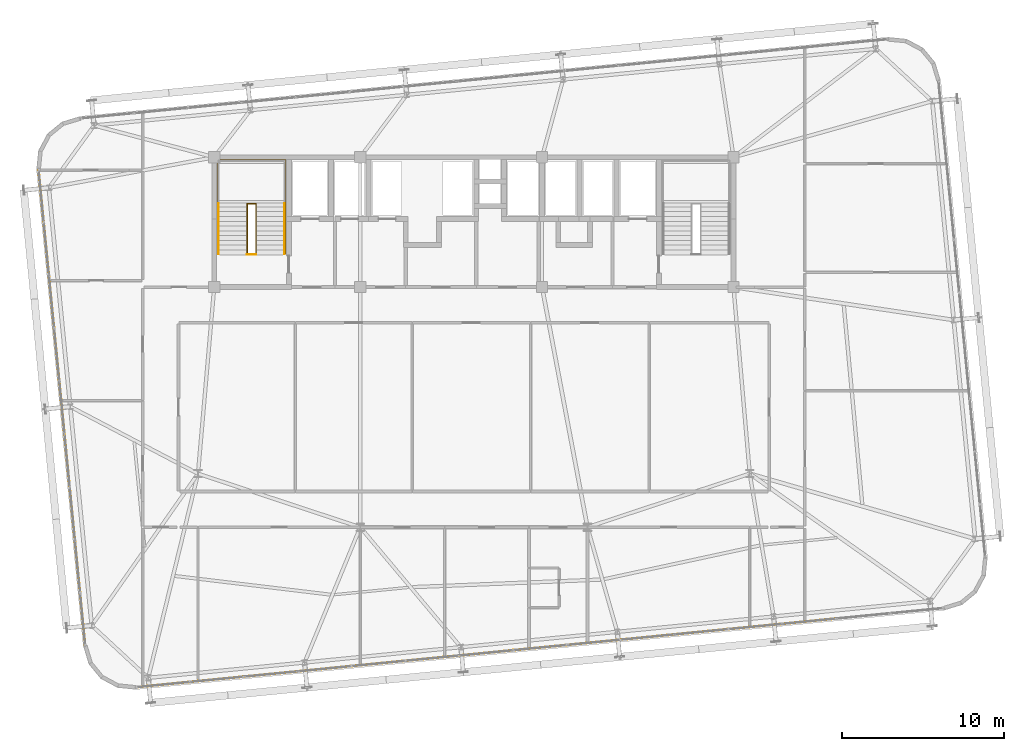
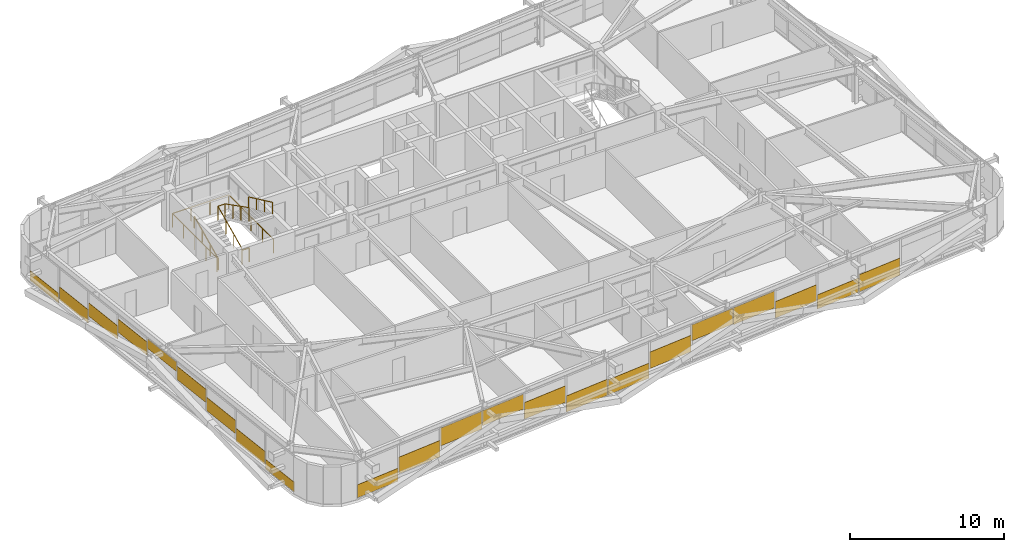
# One storey, part 50 of 52: 22 coverings, 5 railings.
"""IFC4 building model written with IfcOpenShell, lengths in metres."""

import ifcopenshell
import ifcopenshell.guid

model = None  # the IFC model being written
_history = None  # IfcOwnerHistory: only IFC2X3 demands one
_inside = {}  # id of a spatial element -> (the spatial element, [elements in it])
_under = {}  # id of a project, library or spatial element -> (it, [spatial elements below it])
_declared = {}  # id of a project -> (the project, [libraries it declares])
_typed = {}  # id of a type object -> (the type object, [elements of that type])
_made_of = {}  # id of a material, layer set ... -> (it, [elements and type objects made of it])


def new_model(schema):
    """Start an empty IFC model of exactly this schema.

    Asked for "IFC4X3", IfcOpenShell would pick the latest addendum, in which some entities
    have other attributes; the version numbers below select the first issue.
    IFC2X3 requires an IfcOwnerHistory on every rooted entity: one is made here for all.
    """
    global model, _history
    if schema == "IFC4X3":
        model = ifcopenshell.file(schema_version=(4, 3, 0, 0))
    else:
        model = ifcopenshell.file(schema=schema)
    _inside.clear()
    _under.clear()
    _declared.clear()
    _typed.clear()
    _made_of.clear()
    _history = None
    if model.schema == "IFC2X3":
        org = make("IfcOrganization", Name="unknown")
        user = make(
            "IfcPersonAndOrganization",
            ThePerson=make("IfcPerson", FamilyName="unknown"),
            TheOrganization=org,
        )
        app = make(
            "IfcApplication",
            ApplicationDeveloper=org,
            Version="unknown",
            ApplicationFullName="unknown",
            ApplicationIdentifier="unknown",
        )
        _history = make(
            "IfcOwnerHistory",
            OwningUser=user,
            OwningApplication=app,
            ChangeAction="ADDED",
            CreationDate=0,
        )
    return model


def make(cls, **values):
    """One entity of the class cls with the attributes given. An attribute that is None is left unset."""
    return model.create_entity(
        cls, **{name: value for name, value in values.items() if value is not None}
    )


def rooted(cls, **values):
    """An entity with a GlobalId (a new one), such as an element, a storey or a relation."""
    return make(cls, GlobalId=ifcopenshell.guid.new(), OwnerHistory=_history, **values)


def si_unit(unit_type, name, prefix=None):
    """IfcSIUnit, for example si_unit("LENGTHUNIT", "METRE", prefix="MILLI")."""
    return make("IfcSIUnit", UnitType=unit_type, Prefix=prefix, Name=name)


def assignment(units):
    """IfcUnitAssignment: the units of a project."""
    return None if units is None else make("IfcUnitAssignment", Units=units)


def point(xyz):
    """IfcCartesianPoint."""
    return None if xyz is None else make("IfcCartesianPoint", Coordinates=xyz)


def direction(xyz):
    """IfcDirection."""
    return None if xyz is None else make("IfcDirection", DirectionRatios=xyz)


def frame(location, z_axis=None, x_axis=None):
    """IfcAxis2Placement3D, a coordinate frame: its origin and axes. An axis left out is left unset."""
    return make(
        "IfcAxis2Placement3D",
        Location=point(location),
        Axis=direction(z_axis),
        RefDirection=direction(x_axis),
    )


def frame_2d(location, x_axis=None):
    """IfcAxis2Placement2D, a coordinate frame in the plane: its origin and x axis."""
    return make(
        "IfcAxis2Placement2D", Location=point(location), RefDirection=direction(x_axis)
    )


def origin():
    """The frame at (0, 0, 0) with its axes left unset."""
    return frame((0.0, 0.0, 0.0))


def origin_2d():
    """The frame at (0, 0) in the plane with its x axis left unset."""
    return frame_2d((0.0, 0.0))


def place(relative_to, where):
    """IfcLocalPlacement: puts the frame where relative to a parent placement (None: the world)."""
    return make(
        "IfcLocalPlacement", PlacementRelTo=relative_to, RelativePlacement=where
    )


def context(
    kind, dimensions, precision=None, world=None, true_north=None, identifier=None
):
    """IfcGeometricRepresentationContext, for example the 3D "Model" context."""
    return make(
        "IfcGeometricRepresentationContext",
        ContextIdentifier=identifier,
        ContextType=kind,
        CoordinateSpaceDimension=dimensions,
        Precision=precision,
        WorldCoordinateSystem=world,
        TrueNorth=true_north,
    )


def subcontext(parent, identifier, kind, view, scale=None):
    """IfcGeometricRepresentationSubContext, for example "Body" below "Model"."""
    return make(
        "IfcGeometricRepresentationSubContext",
        ContextIdentifier=identifier,
        ContextType=kind,
        ParentContext=parent,
        TargetScale=scale,
        TargetView=view,
    )


def project(units=None, contexts=None):
    """IfcProject with its units and contexts."""
    return rooted(
        "IfcProject",
        Name="project",
        RepresentationContexts=contexts,
        UnitsInContext=assignment(units),
    )


def spatial(cls, under=None, at=None, **own):
    """A site, building, storey or space (cls), placed at a placement, below another one or the project."""
    s = rooted(cls, ObjectPlacement=at, **own)
    if under is not None:
        _under.setdefault(under.id(), (under, []))[1].append(s)
    return s


def profile(cls, at=None, kind="AREA", **sizes):
    """A parametric profile (cls). Its sizes go by their IFC names, for example OverallWidth=200.0."""
    return make(cls, ProfileType=kind, Position=at, **sizes)


def rectangle(**sizes):
    """IfcRectangleProfileDef."""
    return profile("IfcRectangleProfileDef", **sizes)


def extrude(swept, where, along, depth):
    """IfcExtrudedAreaSolid: the profile swept, set in the frame where, extruded along a direction by depth."""
    return make(
        "IfcExtrudedAreaSolid",
        SweptArea=swept,
        Position=where,
        ExtrudedDirection=direction(along),
        Depth=depth,
    )


def shape(context_of_items, identifier, shape_type, items):
    """IfcShapeRepresentation: the items that make up one representation, for example the "Body"."""
    return make(
        "IfcShapeRepresentation",
        ContextOfItems=context_of_items,
        RepresentationIdentifier=identifier,
        RepresentationType=shape_type,
        Items=items,
    )


def source(mapping_origin, context_of_items, identifier, shape_type, items):
    """IfcRepresentationMap: a shape defined once, which mapped items show again and again."""
    return make(
        "IfcRepresentationMap",
        MappingOrigin=mapping_origin,
        MappedRepresentation=shape(context_of_items, identifier, shape_type, items),
    )


def transform(
    local_origin,
    x_axis=None,
    y_axis=None,
    z_axis=None,
    scale=None,
    scale2=None,
    scale3=None,
    uniform=True,
):
    """IfcCartesianTransformationOperator3D, or its non-uniform kind. x_axis, y_axis, z_axis: its Axis1, 2, 3."""
    if uniform:
        return make(
            "IfcCartesianTransformationOperator3D",
            Axis1=direction(x_axis),
            Axis2=direction(y_axis),
            LocalOrigin=point(local_origin),
            Scale=scale,
            Axis3=direction(z_axis),
        )
    return make(
        "IfcCartesianTransformationOperator3DnonUniform",
        Axis1=direction(x_axis),
        Axis2=direction(y_axis),
        LocalOrigin=point(local_origin),
        Scale=scale,
        Axis3=direction(z_axis),
        Scale2=scale2,
        Scale3=scale3,
    )


def mapped(mapping_source, mapping_target):
    """IfcMappedItem: shows the shape of a source again, moved by a transform."""
    return make(
        "IfcMappedItem", MappingSource=mapping_source, MappingTarget=mapping_target
    )


def material(Name=None, Category=None):
    """IfcMaterial."""
    return make("IfcMaterial", Name=Name, Category=Category)


def layer(
    of_material, thickness, ventilated=None, Name=None, Category=None, Priority=None
):
    """IfcMaterialLayer: one layer of a wall or slab, of a material (None: an air gap)."""
    return make(
        "IfcMaterialLayer",
        Material=of_material,
        LayerThickness=thickness,
        IsVentilated=ventilated,
        Name=Name,
        Category=Category,
        Priority=Priority,
    )


def layer_set(layers, Name=None):
    """IfcMaterialLayerSet."""
    return make("IfcMaterialLayerSet", MaterialLayers=layers, LayerSetName=Name)


def made_of(thing, what):
    """Note that an element or type object is made of a material, layer set ...; save() writes the relation."""
    if what is not None:
        _made_of.setdefault(what.id(), (what, []))[1].append(thing)
    return thing


def type_object(cls, material=None, **own):
    """A type object (cls), such as IfcWallType, which elements share."""
    return made_of(rooted(cls, **own), material)


def element(
    cls,
    number,
    at=None,
    inside=None,
    cuts=None,
    type_object=None,
    material=None,
    context=None,
    identifier="Body",
    shape_type=None,
    held_by="IfcProductDefinitionShape",
    body=None,
    shapes=None,
    **own,
):
    """One element of the class cls, such as IfcWall. Its Tag is "e" and its number.

    at: its placement. inside: the storey or other place that contains it. cuts: it is an
    opening in that element (IfcRelVoidsElement). A single representation is given by context,
    identifier, shape_type and body (its items); several are given by shapes. held_by: the class
    of the entity that holds the representations. save() writes the other relations.
    """
    e = rooted(cls, Tag="e%d" % number, ObjectPlacement=at, **own)
    if body is not None:
        shapes = [shape(context, identifier, shape_type, body)]
    if shapes is not None:
        e.Representation = make(held_by, Representations=shapes)
    if inside is not None:
        _inside.setdefault(inside.id(), (inside, []))[1].append(e)
    if cuts is not None:
        rooted(
            "IfcRelVoidsElement", RelatingBuildingElement=cuts, RelatedOpeningElement=e
        )
    if type_object is not None:
        _typed.setdefault(type_object.id(), (type_object, []))[1].append(e)
    return made_of(e, material)


def aggregate(whole, parts):
    """IfcRelAggregates: a whole, such as a stair, and the parts it consists of."""
    return rooted("IfcRelAggregates", RelatingObject=whole, RelatedObjects=parts)


def save(model, path):
    """Write the relations noted so far, then the file.

    IfcRelAggregates (storeys below a building ...), IfcRelContainedInSpatialStructure (elements
    in a storey), IfcRelDefinesByType, IfcRelAssociatesMaterial and IfcRelDeclares: one each for
    every whole, place, type object, material and project.
    """
    for whole, parts in _under.values():
        aggregate(whole, parts)
    for where, things in _inside.values():
        rooted(
            "IfcRelContainedInSpatialStructure",
            RelatedElements=things,
            RelatingStructure=where,
        )
    for kind, things in _typed.values():
        rooted("IfcRelDefinesByType", RelatedObjects=things, RelatingType=kind)
    for what, things in _made_of.values():
        rooted("IfcRelAssociatesMaterial", RelatedObjects=things, RelatingMaterial=what)
    for by, libraries in _declared.values():
        rooted("IfcRelDeclares", RelatingContext=by, RelatedDefinitions=libraries)
    model.write(path)


model = new_model("IFC4")

# Units and contexts
model_context = context("Model", 3, precision=1e-05, world=origin(), true_north=direction((0.0, 1.0)))
body_context = subcontext(model_context, "Body", "Model", "MODEL_VIEW")
ifc_project = project(units=[si_unit("LENGTHUNIT", "METRE"), si_unit("AREAUNIT", "SQUARE_METRE"), si_unit("VOLUMEUNIT", "CUBIC_METRE"), si_unit("PLANEANGLEUNIT", "RADIAN"), si_unit("MASSUNIT", "GRAM", prefix="KILO")], contexts=[model_context])

# Site, building, storey
site_placement = place(None, origin())
site = spatial("IfcSite", under=ifc_project, at=site_placement, CompositionType="ELEMENT")
building_placement = place(site_placement, origin())
building = spatial("IfcBuilding", under=site, at=building_placement, Name="Taldren Reach Tower", CompositionType="ELEMENT")
storey_placement = place(building_placement, frame((0.0, 0.0, 93.449951171875)))
storey = spatial("IfcBuildingStorey", under=building, at=storey_placement, Name="L28", CompositionType="ELEMENT", Elevation=93.449951171875)

# Railings
ifc_material_1 = material(Name="Steel Gr 350 (C350L0)", Category="steel")
ifc_layer_1 = layer(ifc_material_1, 0.050048828125)
ifc_layer_set_1 = layer_set([ifc_layer_1], Name="Steel Gr 350 (C350L0)")
railing_type_1 = type_object("IfcRailingType", Name="RL-STAIR-GR", PredefinedType="GUARDRAIL", material=ifc_layer_set_1)
railing_1_placement = place(storey_placement, frame((21.030029296875, 26.050048828125, 0.13134765625)))
element("IfcRailing", 1, at=railing_1_placement, inside=storey, type_object=railing_type_1, Name="Stairwell inner guard ST1-L28", PredefinedType="GUARDRAIL", context=body_context, shape_type="SweptSolid", body=[
    extrude(rectangle(XDim=0.047852, YDim=0.047852, at=origin_2d()), frame((0.0, 0.0, 1.09619140625), z_axis=(0.0, 0.905737652094, 0.423838773095), x_axis=(-1.0, 0.0, 0.0)), (0.0, 0.0, 1.0), 3.406005859375),
    extrude(rectangle(XDim=0.047852, YDim=0.047852, at=origin_2d()), frame((0.0, 3.0849609375, 2.53955078125), z_axis=(1.0, 0.0, 0.0), x_axis=(0.0, 1.0, 0.0)), (0.0, 0.0, 1.0), 0.5400390625),
    extrude(rectangle(XDim=0.047852, YDim=0.047852, at=origin_2d()), frame((0.5400390625, 3.0849609375, 2.53955078125), z_axis=(0.0, -0.890617412389, 0.454753366946), x_axis=(1.0, 0.0, 0.0)), (0.0, 0.0, 1.0), 3.4638671875),
    extrude(rectangle(XDim=0.041992, YDim=0.041992, at=origin_2d()), origin(), (0.0, 0.0, 1.0), 1.072021484375),
    extrude(rectangle(XDim=0.041992, YDim=0.041992, at=origin_2d()), frame((0.0, 1.0283203125, 0.481201171875)), (0.0, 0.0, 1.0), 1.072021484375),
    extrude(rectangle(XDim=0.041992, YDim=0.041992, at=origin_2d()), frame((0.0, 2.056640625, 0.96240234375)), (0.0, 0.0, 1.0), 1.072021484375),
    extrude(rectangle(XDim=0.041992, YDim=0.041992, at=origin_2d()), frame((0.0, 3.0849609375, 1.443603515625)), (0.0, 0.0, 1.0), 1.072021484375),
    extrude(rectangle(XDim=0.041992, YDim=0.041992, at=origin_2d()), frame((0.5400390625, 3.0849609375, 1.443603515625)), (0.0, 0.0, 1.0), 1.072021484375),
    extrude(rectangle(XDim=0.041992, YDim=0.041992, at=origin_2d()), frame((0.5400390625, 2.056640625, 1.96875)), (0.0, 0.0, 1.0), 1.072021484375),
    extrude(rectangle(XDim=0.041992, YDim=0.041992, at=origin_2d()), frame((0.5400390625, 1.0283203125, 2.49365234375)), (0.0, 0.0, 1.0), 1.072021484375),
    extrude(rectangle(XDim=0.041992, YDim=0.041992, at=origin_2d()), frame((0.5400390625, 0.0, 3.018798828125)), (0.0, 0.0, 1.0), 1.072021484375),
])
railing_2_placement = place(storey_placement, frame((21.030029296875, 26.010009765625, 0.0)))
element("IfcRailing", 2, at=railing_2_placement, inside=storey, type_object=railing_type_1, Name="Stairwell landing slot guard ST1-L28", PredefinedType="GUARDRAIL", context=body_context, shape_type="SweptSolid", body=[
    extrude(rectangle(XDim=0.047852, YDim=0.047852, at=origin_2d()), frame((0.0, 0.0, 1.09619140625), z_axis=(1.0, 0.0, 0.0), x_axis=(0.0, 1.0, 0.0)), (0.0, 0.0, 1.0), 0.5400390625),
    extrude(rectangle(XDim=0.041992, YDim=0.041992, at=origin_2d()), origin(), (0.0, 0.0, 1.0), 1.072021484375),
    extrude(rectangle(XDim=0.041992, YDim=0.041992, at=origin_2d()), frame((0.5400390625, 0.0, 0.0)), (0.0, 0.0, 1.0), 1.072021484375),
])
railing_3_placement = place(storey_placement, frame((19.18994140625, 26.050048828125, 0.0)))
element("IfcRailing", 3, at=railing_3_placement, inside=storey, type_object=railing_type_1, Name="Stairwell floor opening guard ST1-L28", PredefinedType="GUARDRAIL", context=body_context, shape_type="SweptSolid", body=[
    extrude(rectangle(XDim=0.047852, YDim=0.047852, at=origin_2d()), frame((0.0, 0.0, 1.09619140625), z_axis=(0.0, 1.0, 0.0), x_axis=(-1.0, 0.0, 0.0)), (0.0, 0.0, 1.0), 5.800048828125),
    extrude(rectangle(XDim=0.047852, YDim=0.047852, at=origin_2d()), frame((0.0, 5.800048828125, 1.09619140625), z_axis=(1.0, 0.0, 0.0), x_axis=(0.0, 1.0, 0.0)), (0.0, 0.0, 1.0), 4.219970703125),
    extrude(rectangle(XDim=0.047852, YDim=0.047852, at=origin_2d()), frame((4.219970703125, 5.800048828125, 1.09619140625), z_axis=(0.0, -1.0, 0.0), x_axis=(1.0, 0.0, 0.0)), (0.0, 0.0, 1.0), 5.800048828125),
    extrude(rectangle(XDim=0.041992, YDim=0.041992, at=origin_2d()), origin(), (0.0, 0.0, 1.0), 1.072021484375),
    extrude(rectangle(XDim=0.041992, YDim=0.041992, at=origin_2d()), frame((0.0, 1.449951171875, 0.0)), (0.0, 0.0, 1.0), 1.072021484375),
    extrude(rectangle(XDim=0.041992, YDim=0.041992, at=origin_2d()), frame((0.0, 2.89990234375, 0.0)), (0.0, 0.0, 1.0), 1.072021484375),
    extrude(rectangle(XDim=0.041992, YDim=0.041992, at=origin_2d()), frame((0.0, 4.35009765625, 0.0)), (0.0, 0.0, 1.0), 1.072021484375),
    extrude(rectangle(XDim=0.041992, YDim=0.041992, at=origin_2d()), frame((0.0, 5.800048828125, 0.0)), (0.0, 0.0, 1.0), 1.072021484375),
    extrude(rectangle(XDim=0.041992, YDim=0.041992, at=origin_2d()), frame((1.40673828125, 5.800048828125, 0.0)), (0.0, 0.0, 1.0), 1.072021484375),
    extrude(rectangle(XDim=0.041992, YDim=0.041992, at=origin_2d()), frame((2.813232421875, 5.800048828125, 0.0)), (0.0, 0.0, 1.0), 1.072021484375),
    extrude(rectangle(XDim=0.041992, YDim=0.041992, at=origin_2d()), frame((4.219970703125, 5.800048828125, 0.0)), (0.0, 0.0, 1.0), 1.072021484375),
    extrude(rectangle(XDim=0.041992, YDim=0.041992, at=origin_2d()), frame((4.219970703125, 4.35009765625, 0.0)), (0.0, 0.0, 1.0), 1.072021484375),
    extrude(rectangle(XDim=0.041992, YDim=0.041992, at=origin_2d()), frame((4.219970703125, 2.89990234375, 0.0)), (0.0, 0.0, 1.0), 1.072021484375),
    extrude(rectangle(XDim=0.041992, YDim=0.041992, at=origin_2d()), frame((4.219970703125, 1.449951171875, 0.0)), (0.0, 0.0, 1.0), 1.072021484375),
    extrude(rectangle(XDim=0.041992, YDim=0.041992, at=origin_2d()), frame((4.219970703125, 0.0, 0.0)), (0.0, 0.0, 1.0), 1.072021484375),
])
ifc_material_2 = material(Name="Stainless Steel Gr 316", Category="steel")
ifc_layer_2 = layer(ifc_material_2, 0.048095703125)
ifc_layer_set_2 = layer_set([ifc_layer_2], Name="Stainless Steel Gr 316")
railing_type_2 = type_object("IfcRailingType", Name="RL-STAIR-HR", PredefinedType="HANDRAIL", material=ifc_layer_set_2)
railing_4_placement = place(storey_placement, frame((19.27001953125, 26.050048828125, 0.13134765625)))
element("IfcRailing", 4, at=railing_4_placement, inside=storey, type_object=railing_type_2, Name="Stair flight handrail ST1-L28-1", PredefinedType="HANDRAIL", context=body_context, shape_type="SweptSolid", body=[
    extrude(rectangle(XDim=0.047852, YDim=0.047852, at=origin_2d()), frame((0.0, 0.0, 0.89599609375), z_axis=(0.0, 0.905737652094, 0.423838773095), x_axis=(-1.0, 0.0, 0.0)), (0.0, 0.0, 1.0), 3.406005859375),
    extrude(rectangle(XDim=0.041992, YDim=0.041992, at=origin_2d()), origin(), (0.0, 0.0, 1.0), 0.871826171875),
    extrude(rectangle(XDim=0.041992, YDim=0.041992, at=origin_2d()), frame((0.0, 1.0283203125, 0.481201171875)), (0.0, 0.0, 1.0), 0.871826171875),
    extrude(rectangle(XDim=0.041992, YDim=0.041992, at=origin_2d()), frame((0.0, 2.056640625, 0.96240234375)), (0.0, 0.0, 1.0), 0.871826171875),
    extrude(rectangle(XDim=0.041992, YDim=0.041992, at=origin_2d()), frame((0.0, 3.0849609375, 1.443603515625)), (0.0, 0.0, 1.0), 0.871826171875),
])
railing_5_placement = place(storey_placement, frame((23.330078125, 29.135009765625, 1.706298828125)))
element("IfcRailing", 5, at=railing_5_placement, inside=storey, type_object=railing_type_2, Name="Stair flight handrail ST1-L28-2", PredefinedType="HANDRAIL", context=body_context, shape_type="SweptSolid", body=[
    extrude(rectangle(XDim=0.047852, YDim=0.047852, at=origin_2d()), frame((0.0, 0.0, 0.89599609375), z_axis=(0.0, -0.905710134349, 0.423897573167), x_axis=(1.0, 0.0, 0.0)), (0.0, 0.0, 1.0), 3.406005859375),
    extrude(rectangle(XDim=0.041992, YDim=0.041992, at=origin_2d()), origin(), (0.0, 0.0, 1.0), 0.871826171875),
    extrude(rectangle(XDim=0.041992, YDim=0.041992, at=origin_2d()), frame((0.0, -1.0283203125, 0.481201171875)), (0.0, 0.0, 1.0), 0.871826171875),
    extrude(rectangle(XDim=0.041992, YDim=0.041992, at=origin_2d()), frame((0.0, -2.056640625, 0.962646484375)), (0.0, 0.0, 1.0), 0.871826171875),
    extrude(rectangle(XDim=0.041992, YDim=0.041992, at=origin_2d()), frame((0.0, -3.0849609375, 1.44384765625)), (0.0, 0.0, 1.0), 0.871826171875),
])

# Coverings
ifc_material_3 = material(Name="Pale Champagne Fluoropolymer Aluminium Spandrel Cladding", Category="aluminium")
ifc_layer_3 = layer(ifc_material_3, 0.0439453125)
ifc_layer_set_3 = layer_set([ifc_layer_3], Name="Pale Champagne Fluoropolymer Aluminium Spandrel Cladding")
covering_type = type_object("IfcCoveringType", Name="CV-CLAD-044", PredefinedType="CLADDING", material=ifc_layer_set_3)
shared_shape_1 = source(origin(), body_context, "Body", "SweptSolid", [
    extrude(rectangle(XDim=3.268310546875, YDim=0.0439453125, at=origin_2d()), origin(), (0.0, 0.0, 1.0), 1.3046875),
])
for number, where, z_axis, x_axis, name in (
    (6, (19.163818359375, -0.177734375, 0.6220703125), (0.0, 0.0, 1.0), (0.995227390247, 0.097582999046, 0.0), "Diagrid closure cladding strip CW-3 panel 2.1 1"),
    (7, (29.1162109375, 0.798095703125, 0.863037109375), (0.0, 0.0, 1.0), (0.995227390247, 0.097582999046, 0.0), "Diagrid closure cladding strip CW-3 panel 5.1 1"),
    (8, (39.068359375, 1.77392578125, 0.78271484375), (0.0, 0.0, 1.0), (0.995227390247, 0.097582999046, 0.0), "Diagrid closure cladding strip CW-3 panel 8.1 1"),
    (9, (49.020751953125, 2.749755859375, 0.702392578125), (0.0, 0.0, 1.0), (0.995227390247, 0.097582999046, 0.0), "Diagrid closure cladding strip CW-3 panel 11.1 1"),
):
    element("IfcCovering", number, at=place(storey_placement, frame(where, z_axis=z_axis, x_axis=x_axis)), inside=storey, type_object=covering_type, Name=name, PredefinedType="CLADDING", context=body_context, shape_type="MappedRepresentation", body=[
        mapped(shared_shape_1, transform((0.0, 0.0, 0.0), scale=1.0)),
    ])
shared_shape_2 = source(origin(), body_context, "Body", "SweptSolid", [
    extrude(rectangle(XDim=3.268310546875, YDim=0.0439453125, at=origin_2d()), origin(), (0.0, 0.0, 1.0), 1.356201171875),
])
covering_1_placement = place(storey_placement, frame((55.655517578125, 3.400390625, 0.05517578125), z_axis=(0.0, 0.0, 1.0), x_axis=(0.995227390247, 0.097582999046, 0.0)))
element("IfcCovering", 10, at=covering_1_placement, inside=storey, type_object=covering_type, Name="Diagrid closure cladding strip CW-3 panel 13.1 1", PredefinedType="CLADDING", context=body_context, shape_type="MappedRepresentation", body=[
    mapped(shared_shape_2, transform((0.0, 0.0, 0.0), scale=1.0)),
])
shared_shape_3 = source(origin(), body_context, "Body", "SweptSolid", [
    extrude(rectangle(XDim=3.268310546875, YDim=0.0439453125, at=origin_2d()), origin(), (0.0, 0.0, 1.0), 1.115234375),
])
covering_2_placement = place(storey_placement, frame((52.338134765625, 3.0751953125, 0.05517578125), z_axis=(0.0, 0.0, 1.0), x_axis=(0.995227390247, 0.097582999046, 0.0)))
element("IfcCovering", 11, at=covering_2_placement, inside=storey, type_object=covering_type, Name="Diagrid closure cladding strip CW-3 panel 12.1 1", PredefinedType="CLADDING", context=body_context, shape_type="MappedRepresentation", body=[
    mapped(shared_shape_3, transform((0.0, 0.0, 0.0), scale=1.0)),
])
shared_shape_4 = source(origin(), body_context, "Body", "SweptSolid", [
    extrude(rectangle(XDim=3.268310546875, YDim=0.0439453125, at=origin_2d()), origin(), (0.0, 0.0, 1.0), 1.3359375),
])
covering_3_placement = place(storey_placement, frame((45.703369140625, 2.424560546875, 1.5390625), z_axis=(0.0, 0.0, 1.0), x_axis=(0.995227390247, 0.097582999046, 0.0)))
element("IfcCovering", 12, at=covering_3_placement, inside=storey, type_object=covering_type, Name="Diagrid closure cladding strip CW-3 panel 10.1 1", PredefinedType="CLADDING", context=body_context, shape_type="MappedRepresentation", body=[
    mapped(shared_shape_4, transform((0.0, 0.0, 0.0), scale=1.0)),
])
shared_shape_5 = source(origin(), body_context, "Body", "SweptSolid", [
    extrude(rectangle(XDim=3.268310546875, YDim=0.0439453125, at=origin_2d()), origin(), (0.0, 0.0, 1.0), 1.255615234375),
])
covering_4_placement = place(storey_placement, frame((42.3857421875, 2.099365234375, 1.61962890625), z_axis=(0.0, 0.0, 1.0), x_axis=(0.995227390247, 0.097582999046, 0.0)))
element("IfcCovering", 13, at=covering_4_placement, inside=storey, type_object=covering_type, Name="Diagrid closure cladding strip CW-3 panel 9.1 1", PredefinedType="CLADDING", context=body_context, shape_type="MappedRepresentation", body=[
    mapped(shared_shape_5, transform((0.0, 0.0, 0.0), scale=1.0)),
])
shared_shape_6 = source(origin(), body_context, "Body", "SweptSolid", [
    extrude(rectangle(XDim=3.268310546875, YDim=0.0439453125, at=origin_2d()), origin(), (0.0, 0.0, 1.0), 1.195556640625),
])
covering_5_placement = place(storey_placement, frame((35.7509765625, 1.44873046875, 0.05517578125), z_axis=(0.0, 0.0, 1.0), x_axis=(0.995227390247, 0.097582999046, 0.0)))
element("IfcCovering", 14, at=covering_5_placement, inside=storey, type_object=covering_type, Name="Diagrid closure cladding strip CW-3 panel 7.1 1", PredefinedType="CLADDING", context=body_context, shape_type="MappedRepresentation", body=[
    mapped(shared_shape_6, transform((0.0, 0.0, 0.0), scale=1.0)),
])
shared_shape_7 = source(origin(), body_context, "Body", "SweptSolid", [
    extrude(rectangle(XDim=3.268310546875, YDim=0.0439453125, at=origin_2d()), origin(), (0.0, 0.0, 1.0), 1.27587890625),
])
covering_6_placement = place(storey_placement, frame((32.43359375, 1.12353515625, 0.05517578125), z_axis=(0.0, 0.0, 1.0), x_axis=(0.995227390247, 0.097582999046, 0.0)))
element("IfcCovering", 15, at=covering_6_placement, inside=storey, type_object=covering_type, Name="Diagrid closure cladding strip CW-3 panel 6.1 1", PredefinedType="CLADDING", context=body_context, shape_type="MappedRepresentation", body=[
    mapped(shared_shape_7, transform((0.0, 0.0, 0.0), scale=1.0)),
])
shared_shape_8 = source(origin(), body_context, "Body", "SweptSolid", [
    extrude(rectangle(XDim=3.268310546875, YDim=0.0439453125, at=origin_2d()), origin(), (0.0, 0.0, 1.0), 1.17529296875),
])
covering_7_placement = place(storey_placement, frame((25.798828125, 0.472900390625, 1.69970703125), z_axis=(0.0, 0.0, 1.0), x_axis=(0.995227390247, 0.097582999046, 0.0)))
element("IfcCovering", 16, at=covering_7_placement, inside=storey, type_object=covering_type, Name="Diagrid closure cladding strip CW-3 panel 4.1 1", PredefinedType="CLADDING", context=body_context, shape_type="MappedRepresentation", body=[
    mapped(shared_shape_8, transform((0.0, 0.0, 0.0), scale=1.0)),
])
shared_shape_9 = source(origin(), body_context, "Body", "SweptSolid", [
    extrude(rectangle(XDim=3.268310546875, YDim=0.0439453125, at=origin_2d()), origin(), (0.0, 0.0, 1.0), 1.416259765625),
])
covering_8_placement = place(storey_placement, frame((22.481201171875, 0.147705078125, 1.458984375), z_axis=(0.0, 0.0, 1.0), x_axis=(0.995227390247, 0.097582999046, 0.0)))
element("IfcCovering", 17, at=covering_8_placement, inside=storey, type_object=covering_type, Name="Diagrid closure cladding strip CW-3 panel 3.1 1", PredefinedType="CLADDING", context=body_context, shape_type="MappedRepresentation", body=[
    mapped(shared_shape_9, transform((0.0, 0.0, 0.0), scale=1.0)),
])
shared_shape_10 = source(origin(), body_context, "Body", "SweptSolid", [
    extrude(rectangle(XDim=3.23583984375, YDim=0.0439453125, at=origin_2d()), origin(), (0.0, 0.0, 1.0), 1.034912109375),
])
covering_9_placement = place(storey_placement, frame((15.862548828125, -0.501220703125, 0.05517578125), z_axis=(0.0, 0.0, 1.0), x_axis=(0.995227390247, 0.097582999046, 0.0)))
element("IfcCovering", 18, at=covering_9_placement, inside=storey, type_object=covering_type, Name="Diagrid closure cladding strip CW-3 panel 1.1 1", PredefinedType="CLADDING", context=body_context, shape_type="MappedRepresentation", body=[
    mapped(shared_shape_10, transform((0.0, 0.0, 0.0), scale=1.0)),
])
shared_shape_11 = source(origin(), body_context, "Body", "SweptSolid", [
    extrude(rectangle(XDim=3.212890625, YDim=0.0439453125, at=origin_2d()), origin(), (0.0, 0.0, 1.0), 1.053466796875),
])
for number, where, z_axis, x_axis, name in (
    (19, (8.663330078125, 26.36767578125, 0.35986328125), (0.0, 0.0, 1.0), (0.09758274098, -0.99522741555, 0.0), "Diagrid closure cladding strip CW-3 panel 2.1 1"),
    (20, (8.983154296875, 23.105712890625, 0.94775390625), (0.0, 0.0, 1.0), (0.09758274098, -0.99522741555, 0.0), "Diagrid closure cladding strip CW-3 panel 3.1 1"),
    (21, (9.30322265625, 19.843505859375, 1.53564453125), (0.0, 0.0, 1.0), (0.09758274098, -0.99522741555, 0.0), "Diagrid closure cladding strip CW-3 panel 4.1 1"),
    (22, (9.94287109375, 13.319091796875, 1.53564453125), (0.0, 0.0, 1.0), (0.09758274098, -0.99522741555, 0.0), "Diagrid closure cladding strip CW-3 panel 6.1 1"),
    (23, (10.2626953125, 10.05712890625, 0.94775390625), (0.0, 0.0, 1.0), (0.09758274098, -0.99522741555, 0.0), "Diagrid closure cladding strip CW-3 panel 7.1 1"),
    (24, (10.58251953125, 6.794921875, 0.35986328125), (0.0, 0.0, 1.0), (0.09758274098, -0.99522741555, 0.0), "Diagrid closure cladding strip CW-3 panel 8.1 1"),
):
    element("IfcCovering", number, at=place(storey_placement, frame(where, z_axis=z_axis, x_axis=x_axis)), inside=storey, type_object=covering_type, Name=name, PredefinedType="CLADDING", context=body_context, shape_type="MappedRepresentation", body=[
        mapped(shared_shape_11, transform((0.0, 0.0, 0.0), scale=1.0)),
    ])
shared_shape_12 = source(origin(), body_context, "Body", "SweptSolid", [
    extrude(rectangle(XDim=3.18017578125, YDim=0.0439453125, at=origin_2d()), origin(), (0.0, 0.0, 1.0), 0.7705078125),
])
for number, where, z_axis, x_axis, name in (
    (25, (8.34521484375, 29.61376953125, 0.054931640625), (0.0, 0.0, 1.0), (0.09758274098, -0.99522741555, 0.0), "Diagrid closure cladding strip CW-3 panel 1.1 1"),
    (26, (10.90087890625, 3.549072265625, 0.054931640625), (0.0, 0.0, 1.0), (0.09758274098, -0.99522741555, 0.0), "Diagrid closure cladding strip CW-3 panel 9.1 1"),
):
    element("IfcCovering", number, at=place(storey_placement, frame(where, z_axis=z_axis, x_axis=x_axis)), inside=storey, type_object=covering_type, Name=name, PredefinedType="CLADDING", context=body_context, shape_type="MappedRepresentation", body=[
        mapped(shared_shape_12, transform((0.0, 0.0, 0.0), scale=1.0)),
    ])
shared_shape_13 = source(origin(), body_context, "Body", "SweptSolid", [
    extrude(rectangle(XDim=3.212890625, YDim=0.0439453125, at=origin_2d()), origin(), (0.0, 0.0, 1.0), 0.751708984375),
])
covering_10_placement = place(storey_placement, frame((9.623046875, 16.581298828125, 2.12353515625), z_axis=(0.0, 0.0, 1.0), x_axis=(0.09758274098, -0.99522741555, 0.0)))
element("IfcCovering", 27, at=covering_10_placement, inside=storey, type_object=covering_type, Name="Diagrid closure cladding strip CW-3 panel 5.1 1", PredefinedType="CLADDING", context=body_context, shape_type="MappedRepresentation", body=[
    mapped(shared_shape_13, transform((0.0, 0.0, 0.0), scale=1.0)),
])

save(model, "model.ifc")
